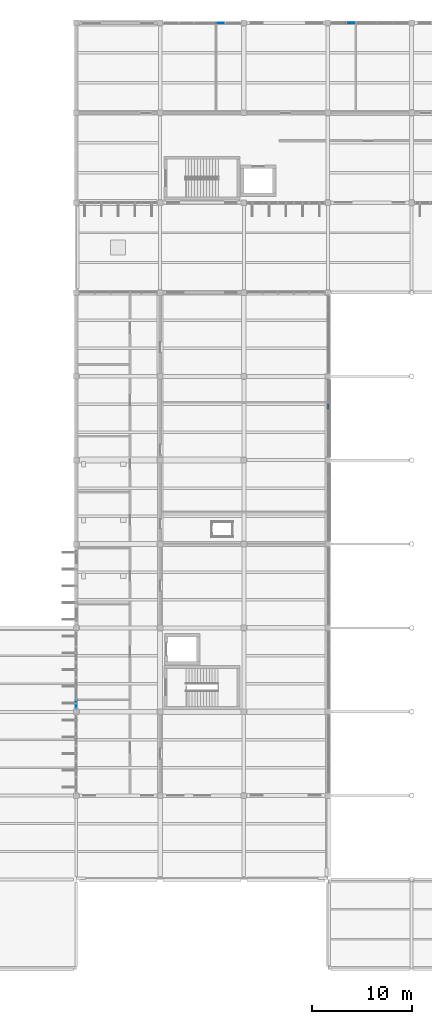
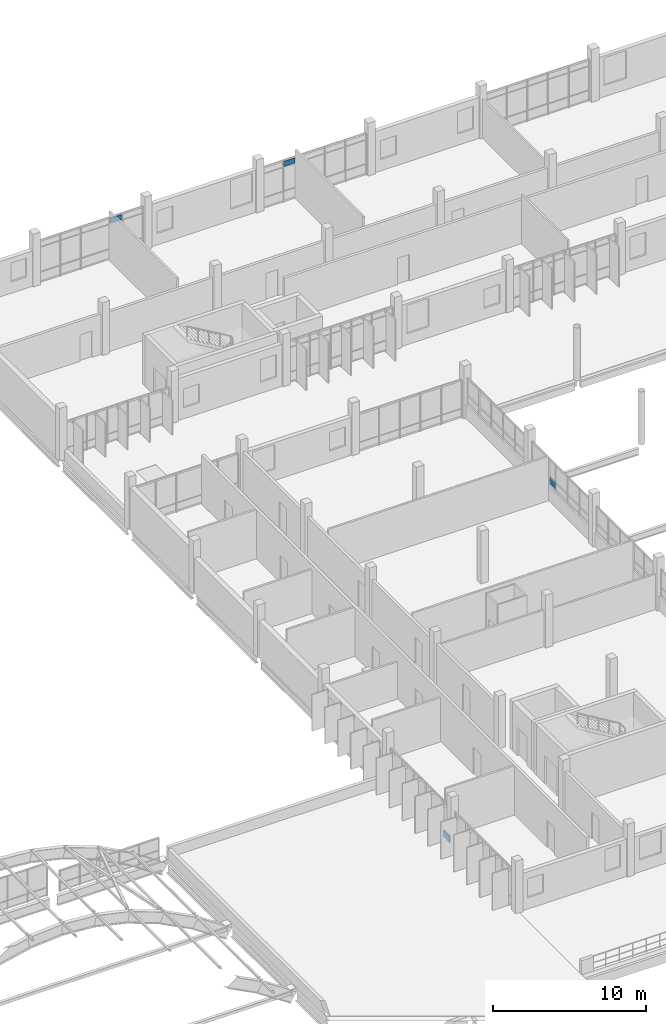
# One storey, part 110 of 130: 4 plates, 4 elements without a shape of their own.
"""IFC4 building model written with IfcOpenShell, lengths in metres."""

import ifcopenshell
import ifcopenshell.guid

model = None  # the IFC model being written
_history = None  # IfcOwnerHistory: only IFC2X3 demands one
_inside = {}  # id of a spatial element -> (the spatial element, [elements in it])
_under = {}  # id of a project, library or spatial element -> (it, [spatial elements below it])
_declared = {}  # id of a project -> (the project, [libraries it declares])
_typed = {}  # id of a type object -> (the type object, [elements of that type])
_made_of = {}  # id of a material, layer set ... -> (it, [elements and type objects made of it])


def new_model(schema):
    """Start an empty IFC model of exactly this schema.

    Asked for "IFC4X3", IfcOpenShell would pick the latest addendum, in which some entities
    have other attributes; the version numbers below select the first issue.
    IFC2X3 requires an IfcOwnerHistory on every rooted entity: one is made here for all.
    """
    global model, _history
    if schema == "IFC4X3":
        model = ifcopenshell.file(schema_version=(4, 3, 0, 0))
    else:
        model = ifcopenshell.file(schema=schema)
    _inside.clear()
    _under.clear()
    _declared.clear()
    _typed.clear()
    _made_of.clear()
    _history = None
    if model.schema == "IFC2X3":
        org = make("IfcOrganization", Name="unknown")
        user = make(
            "IfcPersonAndOrganization",
            ThePerson=make("IfcPerson", FamilyName="unknown"),
            TheOrganization=org,
        )
        app = make(
            "IfcApplication",
            ApplicationDeveloper=org,
            Version="unknown",
            ApplicationFullName="unknown",
            ApplicationIdentifier="unknown",
        )
        _history = make(
            "IfcOwnerHistory",
            OwningUser=user,
            OwningApplication=app,
            ChangeAction="ADDED",
            CreationDate=0,
        )
    return model


def make(cls, **values):
    """One entity of the class cls with the attributes given. An attribute that is None is left unset."""
    return model.create_entity(
        cls, **{name: value for name, value in values.items() if value is not None}
    )


def rooted(cls, **values):
    """An entity with a GlobalId (a new one), such as an element, a storey or a relation."""
    return make(cls, GlobalId=ifcopenshell.guid.new(), OwnerHistory=_history, **values)


def si_unit(unit_type, name, prefix=None):
    """IfcSIUnit, for example si_unit("LENGTHUNIT", "METRE", prefix="MILLI")."""
    return make("IfcSIUnit", UnitType=unit_type, Prefix=prefix, Name=name)


def assignment(units):
    """IfcUnitAssignment: the units of a project."""
    return None if units is None else make("IfcUnitAssignment", Units=units)


def point(xyz):
    """IfcCartesianPoint."""
    return None if xyz is None else make("IfcCartesianPoint", Coordinates=xyz)


def direction(xyz):
    """IfcDirection."""
    return None if xyz is None else make("IfcDirection", DirectionRatios=xyz)


def frame(location, z_axis=None, x_axis=None):
    """IfcAxis2Placement3D, a coordinate frame: its origin and axes. An axis left out is left unset."""
    return make(
        "IfcAxis2Placement3D",
        Location=point(location),
        Axis=direction(z_axis),
        RefDirection=direction(x_axis),
    )


def frame_2d(location, x_axis=None):
    """IfcAxis2Placement2D, a coordinate frame in the plane: its origin and x axis."""
    return make(
        "IfcAxis2Placement2D", Location=point(location), RefDirection=direction(x_axis)
    )


def origin():
    """The frame at (0, 0, 0) with its axes left unset."""
    return frame((0.0, 0.0, 0.0))


def origin_2d():
    """The frame at (0, 0) in the plane with its x axis left unset."""
    return frame_2d((0.0, 0.0))


def place(relative_to, where):
    """IfcLocalPlacement: puts the frame where relative to a parent placement (None: the world)."""
    return make(
        "IfcLocalPlacement", PlacementRelTo=relative_to, RelativePlacement=where
    )


def context(
    kind, dimensions, precision=None, world=None, true_north=None, identifier=None
):
    """IfcGeometricRepresentationContext, for example the 3D "Model" context."""
    return make(
        "IfcGeometricRepresentationContext",
        ContextIdentifier=identifier,
        ContextType=kind,
        CoordinateSpaceDimension=dimensions,
        Precision=precision,
        WorldCoordinateSystem=world,
        TrueNorth=true_north,
    )


def subcontext(parent, identifier, kind, view, scale=None):
    """IfcGeometricRepresentationSubContext, for example "Body" below "Model"."""
    return make(
        "IfcGeometricRepresentationSubContext",
        ContextIdentifier=identifier,
        ContextType=kind,
        ParentContext=parent,
        TargetScale=scale,
        TargetView=view,
    )


def project(units=None, contexts=None):
    """IfcProject with its units and contexts."""
    return rooted(
        "IfcProject",
        Name="project",
        RepresentationContexts=contexts,
        UnitsInContext=assignment(units),
    )


def spatial(cls, under=None, at=None, **own):
    """A site, building, storey or space (cls), placed at a placement, below another one or the project."""
    s = rooted(cls, ObjectPlacement=at, **own)
    if under is not None:
        _under.setdefault(under.id(), (under, []))[1].append(s)
    return s


def profile(cls, at=None, kind="AREA", **sizes):
    """A parametric profile (cls). Its sizes go by their IFC names, for example OverallWidth=200.0."""
    return make(cls, ProfileType=kind, Position=at, **sizes)


def rectangle(**sizes):
    """IfcRectangleProfileDef."""
    return profile("IfcRectangleProfileDef", **sizes)


def extrude(swept, where, along, depth):
    """IfcExtrudedAreaSolid: the profile swept, set in the frame where, extruded along a direction by depth."""
    return make(
        "IfcExtrudedAreaSolid",
        SweptArea=swept,
        Position=where,
        ExtrudedDirection=direction(along),
        Depth=depth,
    )


def shape(context_of_items, identifier, shape_type, items):
    """IfcShapeRepresentation: the items that make up one representation, for example the "Body"."""
    return make(
        "IfcShapeRepresentation",
        ContextOfItems=context_of_items,
        RepresentationIdentifier=identifier,
        RepresentationType=shape_type,
        Items=items,
    )


def material(Name=None, Category=None):
    """IfcMaterial."""
    return make("IfcMaterial", Name=Name, Category=Category)


def layer(
    of_material, thickness, ventilated=None, Name=None, Category=None, Priority=None
):
    """IfcMaterialLayer: one layer of a wall or slab, of a material (None: an air gap)."""
    return make(
        "IfcMaterialLayer",
        Material=of_material,
        LayerThickness=thickness,
        IsVentilated=ventilated,
        Name=Name,
        Category=Category,
        Priority=Priority,
    )


def layer_set(layers, Name=None):
    """IfcMaterialLayerSet."""
    return make("IfcMaterialLayerSet", MaterialLayers=layers, LayerSetName=Name)


def made_of(thing, what):
    """Note that an element or type object is made of a material, layer set ...; save() writes the relation."""
    if what is not None:
        _made_of.setdefault(what.id(), (what, []))[1].append(thing)
    return thing


def type_object(cls, material=None, **own):
    """A type object (cls), such as IfcWallType, which elements share."""
    return made_of(rooted(cls, **own), material)


def element(
    cls,
    number,
    at=None,
    inside=None,
    cuts=None,
    type_object=None,
    material=None,
    context=None,
    identifier="Body",
    shape_type=None,
    held_by="IfcProductDefinitionShape",
    body=None,
    shapes=None,
    **own,
):
    """One element of the class cls, such as IfcWall. Its Tag is "e" and its number.

    at: its placement. inside: the storey or other place that contains it. cuts: it is an
    opening in that element (IfcRelVoidsElement). A single representation is given by context,
    identifier, shape_type and body (its items); several are given by shapes. held_by: the class
    of the entity that holds the representations. save() writes the other relations.
    """
    e = rooted(cls, Tag="e%d" % number, ObjectPlacement=at, **own)
    if body is not None:
        shapes = [shape(context, identifier, shape_type, body)]
    if shapes is not None:
        e.Representation = make(held_by, Representations=shapes)
    if inside is not None:
        _inside.setdefault(inside.id(), (inside, []))[1].append(e)
    if cuts is not None:
        rooted(
            "IfcRelVoidsElement", RelatingBuildingElement=cuts, RelatedOpeningElement=e
        )
    if type_object is not None:
        _typed.setdefault(type_object.id(), (type_object, []))[1].append(e)
    return made_of(e, material)


def aggregate(whole, parts):
    """IfcRelAggregates: a whole, such as a stair, and the parts it consists of."""
    return rooted("IfcRelAggregates", RelatingObject=whole, RelatedObjects=parts)


def save(model, path):
    """Write the relations noted so far, then the file.

    IfcRelAggregates (storeys below a building ...), IfcRelContainedInSpatialStructure (elements
    in a storey), IfcRelDefinesByType, IfcRelAssociatesMaterial and IfcRelDeclares: one each for
    every whole, place, type object, material and project.
    """
    for whole, parts in _under.values():
        aggregate(whole, parts)
    for where, things in _inside.values():
        rooted(
            "IfcRelContainedInSpatialStructure",
            RelatedElements=things,
            RelatingStructure=where,
        )
    for kind, things in _typed.values():
        rooted("IfcRelDefinesByType", RelatedObjects=things, RelatingType=kind)
    for what, things in _made_of.values():
        rooted("IfcRelAssociatesMaterial", RelatedObjects=things, RelatingMaterial=what)
    for by, libraries in _declared.values():
        rooted("IfcRelDeclares", RelatingContext=by, RelatedDefinitions=libraries)
    model.write(path)


model = new_model("IFC4")

# Units and contexts
model_context = context("Model", 3, precision=1e-05, world=origin(), true_north=direction((0.0, 1.0)))
body_context = subcontext(model_context, "Body", "Model", "MODEL_VIEW")
ifc_project = project(units=[si_unit("LENGTHUNIT", "METRE"), si_unit("AREAUNIT", "SQUARE_METRE"), si_unit("VOLUMEUNIT", "CUBIC_METRE"), si_unit("PLANEANGLEUNIT", "RADIAN"), si_unit("MASSUNIT", "GRAM", prefix="KILO")], contexts=[model_context])

# Site, building, storey
site_placement = place(None, origin())
site = spatial("IfcSite", under=ifc_project, at=site_placement, CompositionType="ELEMENT")
building_placement = place(site_placement, origin())
building = spatial("IfcBuilding", under=site, at=building_placement, Name="Vireocrest Preparatory School", CompositionType="ELEMENT")
storey_placement = place(building_placement, frame((0.0, 0.0, 9.0)))
storey = spatial("IfcBuildingStorey", under=building, at=storey_placement, Name="L02", CompositionType="ELEMENT", Elevation=9.0)

# Curtain wall, plate
ifc_material_1 = material(Name="Thermally broken aluminium EN AW-6063-T6", Category="aluminium")
ifc_layer_1 = layer(ifc_material_1, 0.179931640625)
ifc_layer_set_1 = layer_set([ifc_layer_1], Name="Thermally broken aluminium EN AW-6063-T6")
curtain_wall_type_1 = type_object("IfcCurtainWallType", Name="North Street Curtain Wall 8400x4000", PredefinedType="USERDEFINED", material=ifc_layer_set_1)
curtain_wall_1_placement = place(storey_placement, origin())
curtain_wall_1 = element("IfcCurtainWall", 1, at=curtain_wall_1_placement, inside=storey, type_object=curtain_wall_type_1, Name="Curtain Wall CW05 CW_L02_CW05_0506_1128_090", ObjectType="CURTAIN WALL", PredefinedType="USERDEFINED")
ifc_material_2 = material(Name="Insulated triple low-e tempered safety glass", Category="glass")
ifc_layer_2 = layer(ifc_material_2, 0.074951171875)
ifc_layer_set_2 = layer_set([ifc_layer_2], Name="Insulated triple low-e tempered safety glass")
plate_type_1 = type_object("IfcPlateType", Name="Acoustic Triple-Glazed Lab Curtain Panel 75", PredefinedType="CURTAIN_PANEL", material=ifc_layer_set_2)
plate_1_placement = place(storey_placement, frame((56.467041015625, 112.800048828125, 2.8427734375), z_axis=(0.0, 0.0, 1.0), x_axis=(1.0, 0.0, 0.0)))
plate_1 = element("IfcPlate", 2, at=plate_1_placement, type_object=plate_type_1, Name="CW Panel GL2 CW_L02_CW05_0506_1128_090-4-3", PredefinedType="CURTAIN_PANEL", context=body_context, shape_type="SweptSolid", body=[
    extrude(rectangle(XDim=0.868896484375, YDim=0.074951171875, at=origin_2d()), origin(), (0.0, 0.0, 1.0), 0.409912109375),
])
aggregate(curtain_wall_1, [plate_1])

curtain_wall_2_placement = place(storey_placement, origin())
curtain_wall_2 = element("IfcCurtainWall", 3, at=curtain_wall_2_placement, inside=storey, type_object=curtain_wall_type_1, Name="Curtain Wall CW05 CW_L02_CW05_0674_1128_090", ObjectType="CURTAIN WALL", PredefinedType="USERDEFINED")
plate_2_placement = place(storey_placement, frame((69.532958984375, 112.800048828125, 2.79248046875), z_axis=(0.0, 0.0, 1.0), x_axis=(1.0, 0.0, 0.0)))
plate_2 = element("IfcPlate", 4, at=plate_2_placement, type_object=plate_type_1, Name="CW Panel GL2 CW_L02_CW05_0674_1128_090-2-3", PredefinedType="CURTAIN_PANEL", context=body_context, shape_type="SweptSolid", body=[
    extrude(rectangle(XDim=0.868896484375, YDim=0.074951171875, at=origin_2d()), origin(), (0.0, 0.0, 1.0), 0.409912109375),
])
aggregate(curtain_wall_2, [plate_2])

ifc_layer_3 = layer(ifc_material_1, 0.179931640625)
ifc_layer_set_3 = layer_set([ifc_layer_3], Name="Thermally broken aluminium EN AW-6063-T6")
curtain_wall_type_2 = type_object("IfcCurtainWallType", Name="Teaching Fin Curtain Wall 8400x4200", PredefinedType="USERDEFINED", material=ifc_layer_set_3)
curtain_wall_3_placement = place(storey_placement, origin())
curtain_wall_3 = element("IfcCurtainWall", 5, at=curtain_wall_3_placement, inside=storey, type_object=curtain_wall_type_2, Name="Curtain Wall CW03 CW_L02_CW03_0420_0440_090", ObjectType="CURTAIN WALL", PredefinedType="USERDEFINED")
plate_3_placement = place(storey_placement, frame((42.0, 44.554931640625, 0.12744140625), z_axis=(0.0, 0.0, 1.0), x_axis=(0.0, 1.0, 0.0)))
plate_3 = element("IfcPlate", 6, at=plate_3_placement, type_object=plate_type_1, Name="CW Panel GL2 CW_L02_CW03_0420_0440_090-1-1", PredefinedType="CURTAIN_PANEL", context=body_context, shape_type="SweptSolid", body=[
    extrude(rectangle(XDim=0.824951171875, YDim=0.074951171875, at=origin_2d()), origin(), (0.0, 0.0, 1.0), 0.5400390625),
])
aggregate(curtain_wall_3, [plate_3])

ifc_layer_4 = layer(ifc_material_1, 0.179931640625)
ifc_layer_set_4 = layer_set([ifc_layer_4], Name="Thermally broken aluminium EN AW-6063-T6")
curtain_wall_type_3 = type_object("IfcCurtainWallType", Name="Court Banded Curtain Wall 8400x3000", PredefinedType="USERDEFINED", material=ifc_layer_set_4)
curtain_wall_4_placement = place(storey_placement, origin())
curtain_wall_4 = element("IfcCurtainWall", 7, at=curtain_wall_4_placement, inside=storey, type_object=curtain_wall_type_3, Name="Curtain Wall CW02 CW_L02_CW02_0672_0692_102", ObjectType="CURTAIN WALL", PredefinedType="USERDEFINED")
ifc_layer_5 = layer(ifc_material_2, 0.06005859375)
ifc_layer_set_5 = layer_set([ifc_layer_5], Name="Insulated triple low-e tempered safety glass")
plate_type_2 = type_object("IfcPlateType", Name="Triple-Glazed Vision Curtain Panel 60", PredefinedType="CURTAIN_PANEL", material=ifc_layer_set_5)
plate_4_placement = place(storey_placement, frame((67.199951171875, 74.388916015625, 1.277587890625), z_axis=(0.0, 0.0, 1.0), x_axis=(0.0, 1.0, 0.0)))
plate_4 = element("IfcPlate", 8, at=plate_4_placement, type_object=plate_type_2, Name="CW Panel GL1 CW_L02_CW02_0672_0692_102-4-1", PredefinedType="CURTAIN_PANEL", context=body_context, shape_type="SweptSolid", body=[
    extrude(rectangle(XDim=0.757080078125, YDim=0.06005859375, at=origin_2d()), origin(), (0.0, 0.0, 1.0), 0.5400390625),
])
aggregate(curtain_wall_4, [plate_4])

save(model, "model.ifc")
